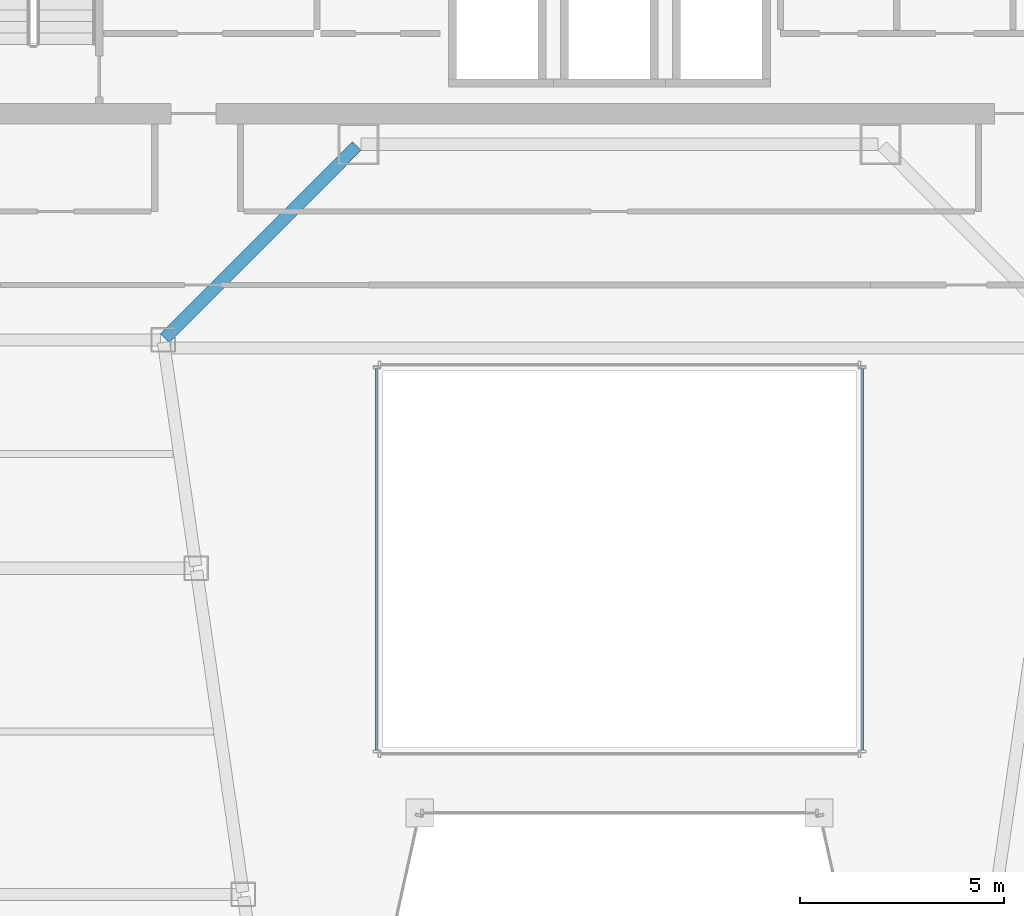
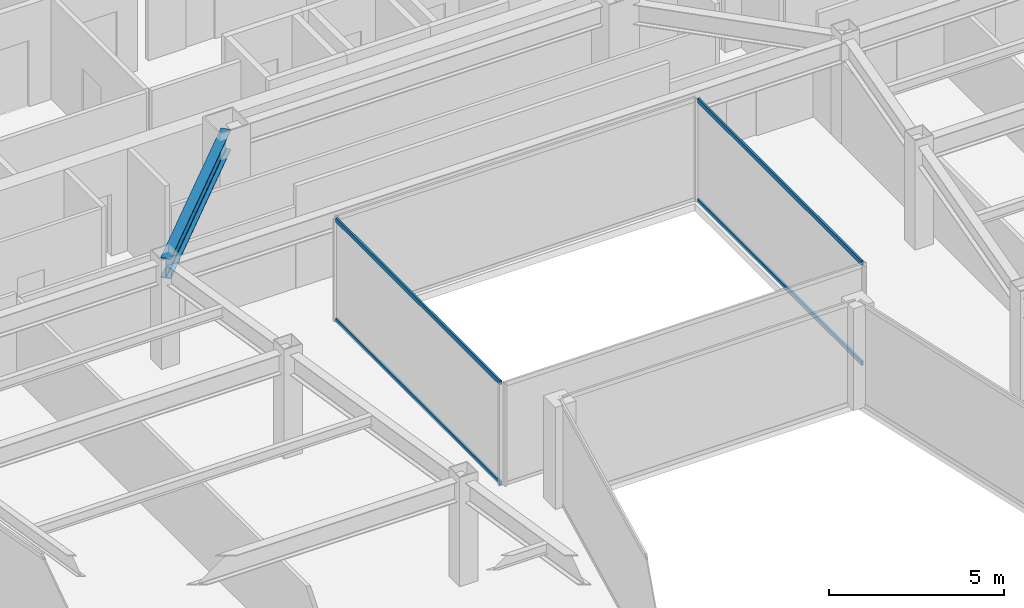
# One storey, part 11 of 35: 4 members, 1 beam, 2 elements without a shape of their own.
"""IFC4 building model written with IfcOpenShell, lengths in metres."""

import ifcopenshell
import ifcopenshell.guid

model = None  # the IFC model being written
_history = None  # IfcOwnerHistory: only IFC2X3 demands one
_inside = {}  # id of a spatial element -> (the spatial element, [elements in it])
_under = {}  # id of a project, library or spatial element -> (it, [spatial elements below it])
_declared = {}  # id of a project -> (the project, [libraries it declares])
_typed = {}  # id of a type object -> (the type object, [elements of that type])
_made_of = {}  # id of a material, layer set ... -> (it, [elements and type objects made of it])


def new_model(schema):
    """Start an empty IFC model of exactly this schema.

    Asked for "IFC4X3", IfcOpenShell would pick the latest addendum, in which some entities
    have other attributes; the version numbers below select the first issue.
    IFC2X3 requires an IfcOwnerHistory on every rooted entity: one is made here for all.
    """
    global model, _history
    if schema == "IFC4X3":
        model = ifcopenshell.file(schema_version=(4, 3, 0, 0))
    else:
        model = ifcopenshell.file(schema=schema)
    _inside.clear()
    _under.clear()
    _declared.clear()
    _typed.clear()
    _made_of.clear()
    _history = None
    if model.schema == "IFC2X3":
        org = make("IfcOrganization", Name="unknown")
        user = make(
            "IfcPersonAndOrganization",
            ThePerson=make("IfcPerson", FamilyName="unknown"),
            TheOrganization=org,
        )
        app = make(
            "IfcApplication",
            ApplicationDeveloper=org,
            Version="unknown",
            ApplicationFullName="unknown",
            ApplicationIdentifier="unknown",
        )
        _history = make(
            "IfcOwnerHistory",
            OwningUser=user,
            OwningApplication=app,
            ChangeAction="ADDED",
            CreationDate=0,
        )
    return model


def make(cls, **values):
    """One entity of the class cls with the attributes given. An attribute that is None is left unset."""
    return model.create_entity(
        cls, **{name: value for name, value in values.items() if value is not None}
    )


def rooted(cls, **values):
    """An entity with a GlobalId (a new one), such as an element, a storey or a relation."""
    return make(cls, GlobalId=ifcopenshell.guid.new(), OwnerHistory=_history, **values)


def si_unit(unit_type, name, prefix=None):
    """IfcSIUnit, for example si_unit("LENGTHUNIT", "METRE", prefix="MILLI")."""
    return make("IfcSIUnit", UnitType=unit_type, Prefix=prefix, Name=name)


def assignment(units):
    """IfcUnitAssignment: the units of a project."""
    return None if units is None else make("IfcUnitAssignment", Units=units)


def point(xyz):
    """IfcCartesianPoint."""
    return None if xyz is None else make("IfcCartesianPoint", Coordinates=xyz)


def direction(xyz):
    """IfcDirection."""
    return None if xyz is None else make("IfcDirection", DirectionRatios=xyz)


def frame(location, z_axis=None, x_axis=None):
    """IfcAxis2Placement3D, a coordinate frame: its origin and axes. An axis left out is left unset."""
    return make(
        "IfcAxis2Placement3D",
        Location=point(location),
        Axis=direction(z_axis),
        RefDirection=direction(x_axis),
    )


def frame_2d(location, x_axis=None):
    """IfcAxis2Placement2D, a coordinate frame in the plane: its origin and x axis."""
    return make(
        "IfcAxis2Placement2D", Location=point(location), RefDirection=direction(x_axis)
    )


def origin():
    """The frame at (0, 0, 0) with its axes left unset."""
    return frame((0.0, 0.0, 0.0))


def origin_2d():
    """The frame at (0, 0) in the plane with its x axis left unset."""
    return frame_2d((0.0, 0.0))


def place(relative_to, where):
    """IfcLocalPlacement: puts the frame where relative to a parent placement (None: the world)."""
    return make(
        "IfcLocalPlacement", PlacementRelTo=relative_to, RelativePlacement=where
    )


def context(
    kind, dimensions, precision=None, world=None, true_north=None, identifier=None
):
    """IfcGeometricRepresentationContext, for example the 3D "Model" context."""
    return make(
        "IfcGeometricRepresentationContext",
        ContextIdentifier=identifier,
        ContextType=kind,
        CoordinateSpaceDimension=dimensions,
        Precision=precision,
        WorldCoordinateSystem=world,
        TrueNorth=true_north,
    )


def subcontext(parent, identifier, kind, view, scale=None):
    """IfcGeometricRepresentationSubContext, for example "Body" below "Model"."""
    return make(
        "IfcGeometricRepresentationSubContext",
        ContextIdentifier=identifier,
        ContextType=kind,
        ParentContext=parent,
        TargetScale=scale,
        TargetView=view,
    )


def project(units=None, contexts=None):
    """IfcProject with its units and contexts."""
    return rooted(
        "IfcProject",
        Name="project",
        RepresentationContexts=contexts,
        UnitsInContext=assignment(units),
    )


def spatial(cls, under=None, at=None, **own):
    """A site, building, storey or space (cls), placed at a placement, below another one or the project."""
    s = rooted(cls, ObjectPlacement=at, **own)
    if under is not None:
        _under.setdefault(under.id(), (under, []))[1].append(s)
    return s


def profile(cls, at=None, kind="AREA", **sizes):
    """A parametric profile (cls). Its sizes go by their IFC names, for example OverallWidth=200.0."""
    return make(cls, ProfileType=kind, Position=at, **sizes)


def hollow_rectangle(**sizes):
    """IfcRectangleHollowProfileDef."""
    return profile("IfcRectangleHollowProfileDef", **sizes)


def i_section(**sizes):
    """IfcIShapeProfileDef."""
    return profile("IfcIShapeProfileDef", **sizes)


def extrude(swept, where, along, depth):
    """IfcExtrudedAreaSolid: the profile swept, set in the frame where, extruded along a direction by depth."""
    return make(
        "IfcExtrudedAreaSolid",
        SweptArea=swept,
        Position=where,
        ExtrudedDirection=direction(along),
        Depth=depth,
    )


def shape(context_of_items, identifier, shape_type, items):
    """IfcShapeRepresentation: the items that make up one representation, for example the "Body"."""
    return make(
        "IfcShapeRepresentation",
        ContextOfItems=context_of_items,
        RepresentationIdentifier=identifier,
        RepresentationType=shape_type,
        Items=items,
    )


def material(Name=None, Category=None):
    """IfcMaterial."""
    return make("IfcMaterial", Name=Name, Category=Category)


def material_profile(
    of_material, cross_section, Name=None, Category=None, Priority=None
):
    """IfcMaterialProfile: a cross section and its material."""
    return make(
        "IfcMaterialProfile",
        Name=Name,
        Material=of_material,
        Profile=cross_section,
        Priority=Priority,
        Category=Category,
    )


def profile_set(profiles, Name=None, composite=None):
    """IfcMaterialProfileSet."""
    return make(
        "IfcMaterialProfileSet",
        Name=Name,
        MaterialProfiles=profiles,
        CompositeProfile=composite,
    )


def made_of(thing, what):
    """Note that an element or type object is made of a material, layer set ...; save() writes the relation."""
    if what is not None:
        _made_of.setdefault(what.id(), (what, []))[1].append(thing)
    return thing


def type_object(cls, material=None, **own):
    """A type object (cls), such as IfcWallType, which elements share."""
    return made_of(rooted(cls, **own), material)


def element(
    cls,
    number,
    at=None,
    inside=None,
    cuts=None,
    type_object=None,
    material=None,
    context=None,
    identifier="Body",
    shape_type=None,
    held_by="IfcProductDefinitionShape",
    body=None,
    shapes=None,
    **own,
):
    """One element of the class cls, such as IfcWall. Its Tag is "e" and its number.

    at: its placement. inside: the storey or other place that contains it. cuts: it is an
    opening in that element (IfcRelVoidsElement). A single representation is given by context,
    identifier, shape_type and body (its items); several are given by shapes. held_by: the class
    of the entity that holds the representations. save() writes the other relations.
    """
    e = rooted(cls, Tag="e%d" % number, ObjectPlacement=at, **own)
    if body is not None:
        shapes = [shape(context, identifier, shape_type, body)]
    if shapes is not None:
        e.Representation = make(held_by, Representations=shapes)
    if inside is not None:
        _inside.setdefault(inside.id(), (inside, []))[1].append(e)
    if cuts is not None:
        rooted(
            "IfcRelVoidsElement", RelatingBuildingElement=cuts, RelatedOpeningElement=e
        )
    if type_object is not None:
        _typed.setdefault(type_object.id(), (type_object, []))[1].append(e)
    return made_of(e, material)


def aggregate(whole, parts):
    """IfcRelAggregates: a whole, such as a stair, and the parts it consists of."""
    return rooted("IfcRelAggregates", RelatingObject=whole, RelatedObjects=parts)


def save(model, path):
    """Write the relations noted so far, then the file.

    IfcRelAggregates (storeys below a building ...), IfcRelContainedInSpatialStructure (elements
    in a storey), IfcRelDefinesByType, IfcRelAssociatesMaterial and IfcRelDeclares: one each for
    every whole, place, type object, material and project.
    """
    for whole, parts in _under.values():
        aggregate(whole, parts)
    for where, things in _inside.values():
        rooted(
            "IfcRelContainedInSpatialStructure",
            RelatedElements=things,
            RelatingStructure=where,
        )
    for kind, things in _typed.values():
        rooted("IfcRelDefinesByType", RelatedObjects=things, RelatingType=kind)
    for what, things in _made_of.values():
        rooted("IfcRelAssociatesMaterial", RelatedObjects=things, RelatingMaterial=what)
    for by, libraries in _declared.values():
        rooted("IfcRelDeclares", RelatingContext=by, RelatedDefinitions=libraries)
    model.write(path)


model = new_model("IFC4")

# Units and contexts
model_context = context("Model", 3, precision=1e-05, world=origin(), true_north=direction((0.0, 1.0)))
body_context = subcontext(model_context, "Body", "Model", "MODEL_VIEW")
ifc_project = project(units=[si_unit("LENGTHUNIT", "METRE"), si_unit("AREAUNIT", "SQUARE_METRE"), si_unit("VOLUMEUNIT", "CUBIC_METRE"), si_unit("PLANEANGLEUNIT", "RADIAN"), si_unit("MASSUNIT", "GRAM", prefix="KILO")], contexts=[model_context])

# Site, building, storey
site_placement = place(None, origin())
site = spatial("IfcSite", under=ifc_project, at=site_placement, CompositionType="ELEMENT")
building_placement = place(site_placement, origin())
building = spatial("IfcBuilding", under=site, at=building_placement, Name="Saevonmaru Cultural Tower", CompositionType="ELEMENT")
storey_placement = place(building_placement, frame((0.0, 0.0, 175.199951171875)))
storey = spatial("IfcBuildingStorey", under=building, at=storey_placement, Name="L39", CompositionType="ELEMENT", Elevation=175.199951171875)

# Beam
ifc_material_1 = material(Name="Steel SM355", Category="steel")
ifc_material_profile_1 = material_profile(ifc_material_1, i_section(OverallWidth=0.300048828125, OverallDepth=0.699951171875, WebThickness=0.012939453125, FlangeThickness=0.02392578125, FilletRadius=0.02587890625, at=origin_2d()), Name="H-700x300x13x24")
ifc_profile_set_1 = profile_set([ifc_material_profile_1], Name="Steel SM355")
beam_type = type_object("IfcBeamType", Name="BM-G-H700", PredefinedType="BEAM", material=ifc_profile_set_1)
beam_placement = place(storey_placement, frame((18.850341796875, 37.642578125, 3.199951171875), z_axis=(0.706538566564, 0.707674539572, 0.0), x_axis=(-0.707674539572, 0.706538566564, 0.0)))
element("IfcBeam", 1, at=beam_placement, inside=storey, type_object=beam_type, Name="L39 West Atrium Girder 4", PredefinedType="BEAM", context=body_context, shape_type="SweptSolid", body=[
    extrude(i_section(OverallWidth=0.300048828125, OverallDepth=0.699951171875, WebThickness=0.012939453125, FlangeThickness=0.02392578125, FilletRadius=0.02587890625, at=origin_2d()), origin(), (0.0, 0.0, 1.0), 6.662353515625),
])

# Curtain wall, members
ifc_material_2 = material(Name="Satin Bronze Anodised Aluminium", Category="aluminium")
curtain_wall_type = type_object("IfcCurtainWallType", Name="CW-ATR-GLZ", PredefinedType="NOTDEFINED", material=ifc_material_2)
curtain_wall_1_placement = place(storey_placement, origin())
curtain_wall_1 = element("IfcCurtainWall", 2, at=curtain_wall_1_placement, inside=storey, type_object=curtain_wall_type, Name="L39 Vertical Atrium Glazed Smoke Screen 2", PredefinedType="NOTDEFINED")
ifc_material_profile_2 = material_profile(ifc_material_2, hollow_rectangle(XDim=0.06494140625, YDim=0.14990234375, WallThickness=0.00390625, at=origin_2d()), Name="ALU-TRAN-150x65x4")
ifc_profile_set_2 = profile_set([ifc_material_profile_2], Name="Satin Bronze Anodised Aluminium")
member_type = type_object("IfcMemberType", Name="TR-CW-INT-150x65", PredefinedType="USERDEFINED", material=ifc_profile_set_2)
member_1_placement = place(storey_placement, frame((35.949951171875, 27.54248046875, 0.032470703125), z_axis=(0.0, 1.0, 0.0), x_axis=(-1.0, 0.0, 0.0)))
member_1 = element("IfcMember", 3, at=member_1_placement, type_object=member_type, Name="CW-ATR-L39-2 transom 1.1", ObjectType="TRANSOM", PredefinedType="USERDEFINED", context=body_context, shape_type="SweptSolid", body=[
    extrude(hollow_rectangle(XDim=0.06494140625, YDim=0.14990234375, WallThickness=0.00390625, at=origin_2d()), origin(), (0.0, 0.0, 1.0), 9.35498046875),
])
member_2_placement = place(storey_placement, frame((35.949951171875, 27.54248046875, 3.517578125), z_axis=(0.0, 1.0, 0.0), x_axis=(-1.0, 0.0, 0.0)))
member_2 = element("IfcMember", 4, at=member_2_placement, type_object=member_type, Name="CW-ATR-L39-2 transom 1.2", ObjectType="TRANSOM", PredefinedType="USERDEFINED", context=body_context, shape_type="SweptSolid", body=[
    extrude(hollow_rectangle(XDim=0.06494140625, YDim=0.14990234375, WallThickness=0.00390625, at=origin_2d()), origin(), (0.0, 0.0, 1.0), 9.35498046875),
])
aggregate(curtain_wall_1, [member_1, member_2])

curtain_wall_2_placement = place(storey_placement, origin())
curtain_wall_2 = element("IfcCurtainWall", 5, at=curtain_wall_2_placement, inside=storey, type_object=curtain_wall_type, Name="L39 Vertical Atrium Glazed Smoke Screen 4", PredefinedType="NOTDEFINED")
member_3_placement = place(storey_placement, frame((24.050048828125, 36.8974609375, 0.032470703125), z_axis=(0.0, -1.0, 0.0), x_axis=(1.0, 0.0, 0.0)))
member_3 = element("IfcMember", 6, at=member_3_placement, type_object=member_type, Name="CW-ATR-L39-4 transom 1.1", ObjectType="TRANSOM", PredefinedType="USERDEFINED", context=body_context, shape_type="SweptSolid", body=[
    extrude(hollow_rectangle(XDim=0.06494140625, YDim=0.14990234375, WallThickness=0.00390625, at=origin_2d()), origin(), (0.0, 0.0, 1.0), 9.35498046875),
])
member_4_placement = place(storey_placement, frame((24.050048828125, 36.8974609375, 3.517578125), z_axis=(0.0, -1.0, 0.0), x_axis=(1.0, 0.0, 0.0)))
member_4 = element("IfcMember", 7, at=member_4_placement, type_object=member_type, Name="CW-ATR-L39-4 transom 1.2", ObjectType="TRANSOM", PredefinedType="USERDEFINED", context=body_context, shape_type="SweptSolid", body=[
    extrude(hollow_rectangle(XDim=0.06494140625, YDim=0.14990234375, WallThickness=0.00390625, at=origin_2d()), origin(), (0.0, 0.0, 1.0), 9.35498046875),
])
aggregate(curtain_wall_2, [member_3, member_4])

save(model, "model.ifc")
